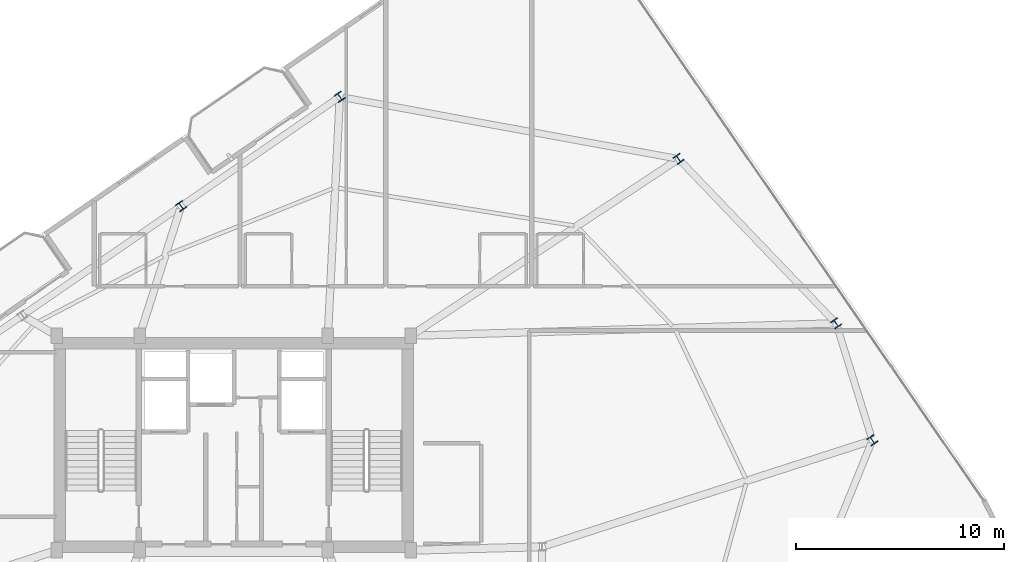
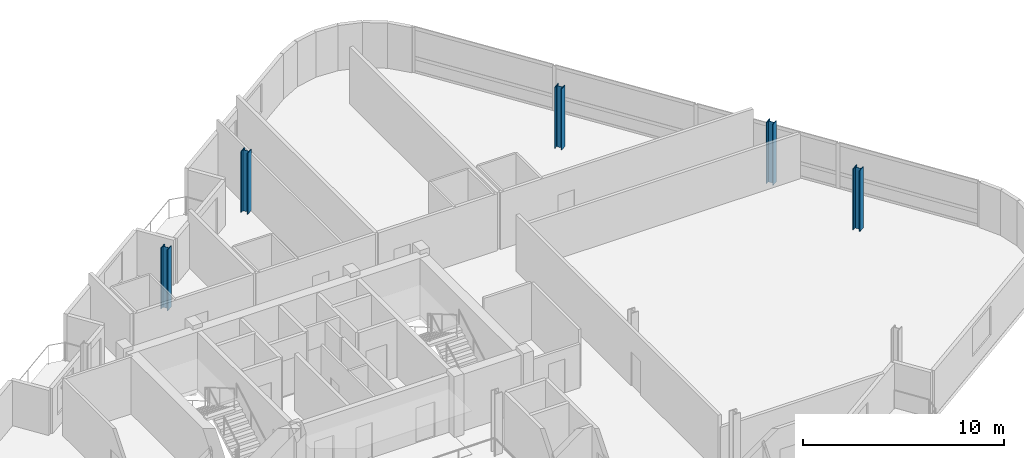
# One storey, part 2 of 22: 5 columns.
"""IFC4 building model written with IfcOpenShell, lengths in metres."""

from ifc_helpers import new_model, si_unit, direction, frame, origin, origin_2d, place, context, subcontext, project, spatial, i_section, extrude, material, material_profile, profile_set, type_object, element, save


model = new_model("IFC4")

# Units and contexts
model_context = context("Model", 3, precision=1e-05, world=origin(), true_north=direction((0.0, 1.0)))
body_context = subcontext(model_context, "Body", "Model", "MODEL_VIEW")
ifc_project = project(units=[si_unit("LENGTHUNIT", "METRE"), si_unit("AREAUNIT", "SQUARE_METRE"), si_unit("VOLUMEUNIT", "CUBIC_METRE"), si_unit("PLANEANGLEUNIT", "RADIAN"), si_unit("MASSUNIT", "GRAM", prefix="KILO")], contexts=[model_context])

# Site, building, storey
site_placement = place(None, origin())
site = spatial("IfcSite", under=ifc_project, at=site_placement, CompositionType="ELEMENT")
building_placement = place(site_placement, origin())
building = spatial("IfcBuilding", under=site, at=building_placement, Name="Varnelok Gate Tower", CompositionType="ELEMENT")
storey_placement = place(building_placement, frame((0.0, 0.0, 280.39990234375)))
storey = spatial("IfcBuildingStorey", under=building, at=storey_placement, Name="L72", CompositionType="ELEMENT", Elevation=280.39990234375)

# Columns
ifc_material = material(Name="Structural Steel ASTM A992 Grade 50", Category="steel")
ifc_material_profile = material_profile(ifc_material, i_section(OverallWidth=0.40087890625, OverallDepth=0.39892578125, WebThickness=0.02490234375, FlangeThickness=0.03955078125, FilletRadius=0.02197265625, at=origin_2d()), Name="W14X211")
ifc_profile_set = profile_set([ifc_material_profile], Name="Structural Steel ASTM A992 Grade 50")
column_type = type_object("IfcColumnType", Name="COL-W14X211", PredefinedType="COLUMN", material=ifc_profile_set)
for number, where, z_axis, x_axis, name in (
    (1, (69.856689453125, 34.031494140625, 0.0), (0.0, 0.0, 1.0), (0.823532597628, 0.567268949127, 0.0), "L72 B6 Perimeter Column PC06"),
    (2, (68.115478515625, 39.644287109375, 0.0), (0.0, 0.0, 1.0), (0.823532597628, 0.567268949127, 0.0), "L72 B6 Perimeter Column PC07"),
    (3, (60.5537109375, 47.537353515625, 0.0), (0.0, 0.0, 1.0), (0.823532597628, 0.567268949127, 0.0), "L72 B6 Perimeter Column PC08"),
    (4, (44.29248046875, 50.519287109375, 0.0), (0.0, 0.0, 1.0), (0.823532597628, 0.567268949127, 0.0), "L72 B6 Perimeter Column PC09"),
    (5, (36.6748046875, 45.27197265625, 0.0), (0.0, 0.0, 1.0), (0.823532597628, 0.567268949127, 0.0), "L72 B6 Perimeter Column PC10"),
):
    element("IfcColumn", number, at=place(storey_placement, frame(where, z_axis=z_axis, x_axis=x_axis)), inside=storey, type_object=column_type, Name=name, PredefinedType="COLUMN", context=body_context, shape_type="SweptSolid", body=[
        extrude(i_section(OverallWidth=0.40087890625, OverallDepth=0.39892578125, WebThickness=0.02490234375, FlangeThickness=0.03955078125, FilletRadius=0.02197265625, at=origin_2d()), origin(), (0.0, 0.0, 1.0), 3.7001953125),
    ])

save(model, "model.ifc")
